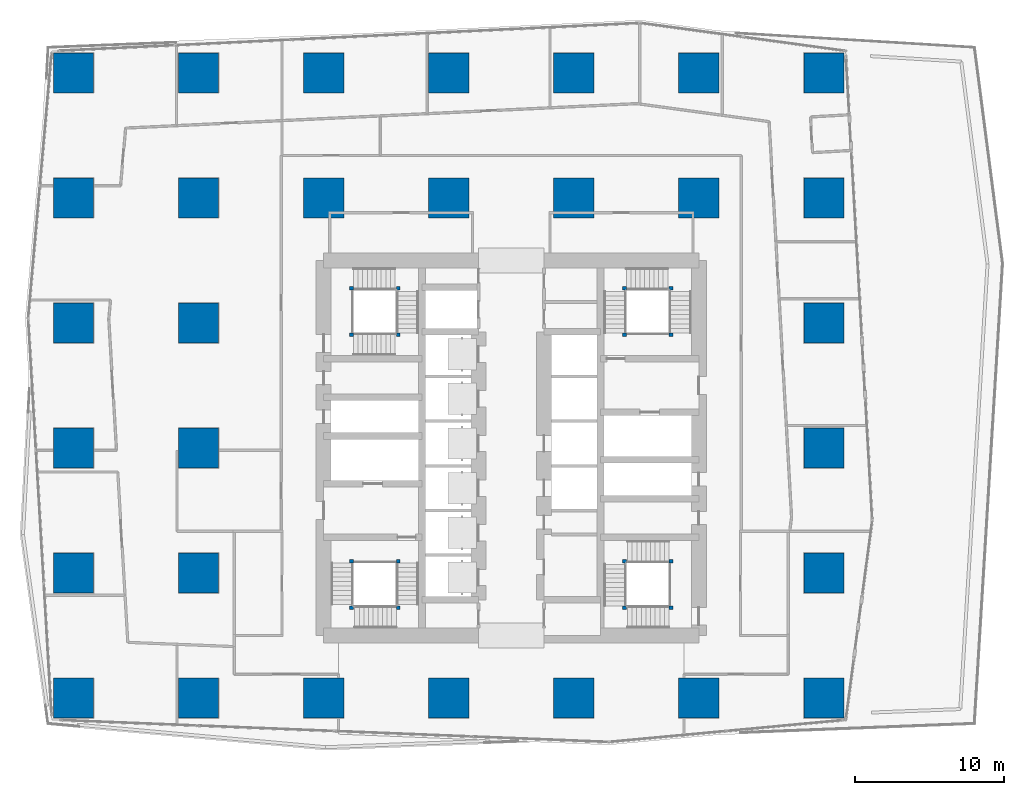
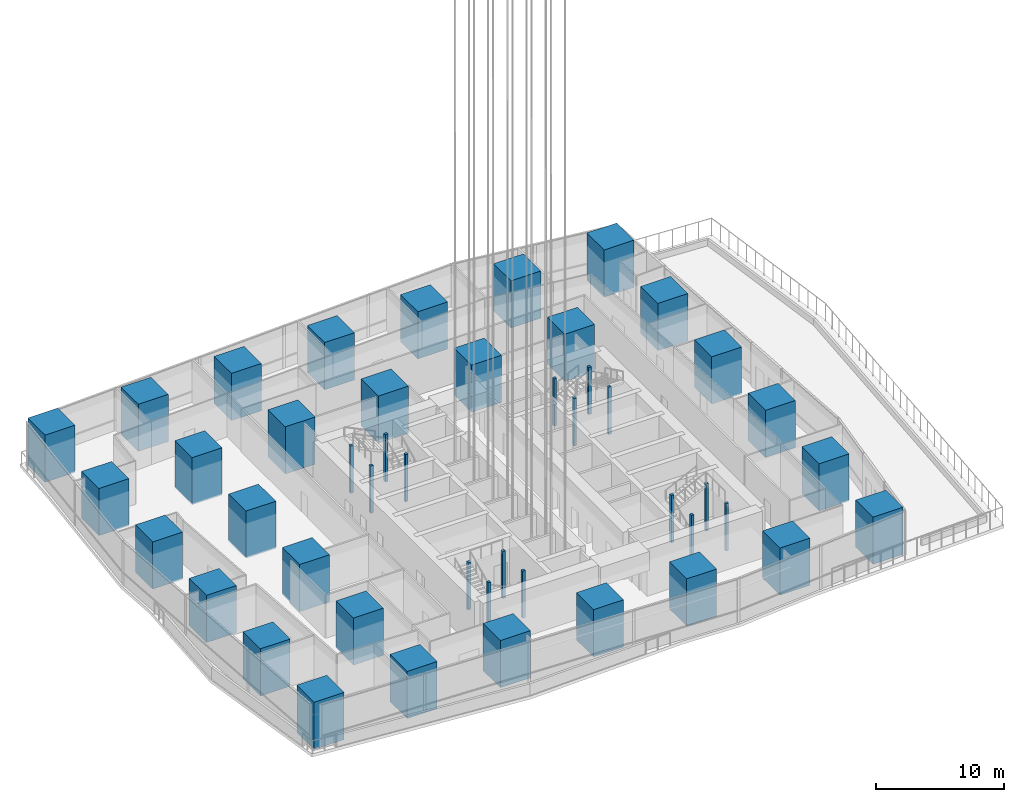
# One storey, part 1 of 39: 46 columns.
"""IFC4 building model written with IfcOpenShell, lengths in metres."""

from ifc_helpers import new_model, si_unit, direction, frame, origin, origin_2d, place, context, subcontext, project, spatial, rectangle, extrude, material, material_profile, profile_set, type_object, element, save


model = new_model("IFC4")

# Units and contexts
model_context = context("Model", 3, precision=1e-05, world=origin(), true_north=direction((0.0, 1.0)))
body_context = subcontext(model_context, "Body", "Model", "MODEL_VIEW")
ifc_project = project(units=[si_unit("LENGTHUNIT", "METRE"), si_unit("AREAUNIT", "SQUARE_METRE"), si_unit("VOLUMEUNIT", "CUBIC_METRE"), si_unit("PLANEANGLEUNIT", "RADIAN"), si_unit("MASSUNIT", "GRAM", prefix="KILO")], contexts=[model_context])

# Site, building, storey
site_placement = place(None, origin())
site = spatial("IfcSite", under=ifc_project, at=site_placement, CompositionType="ELEMENT")
building_placement = place(site_placement, origin())
building = spatial("IfcBuilding", under=site, at=building_placement, Name="Rekha Terrace Tower", CompositionType="ELEMENT")
storey_placement = place(building_placement, frame((0.0, 0.0, 168.199951171875)))
storey = spatial("IfcBuildingStorey", under=building, at=storey_placement, Name="L42", CompositionType="ELEMENT", Elevation=168.199951171875)

# Columns
ifc_material_1 = material(Name="Concrete M70", Category="concrete")
ifc_material_profile_1 = material_profile(ifc_material_1, rectangle(XDim=2.699951171875, YDim=2.699951171875, at=origin_2d()), Name="RC 2700x2700")
ifc_profile_set_1 = profile_set([ifc_material_profile_1], Name="Concrete M70")
column_type_1 = type_object("IfcColumnType", Name="C4T 2700x2700 column", PredefinedType="COLUMN", material=ifc_profile_set_1)
for number, where, z_axis, x_axis, name in (
    (1, (8.39990234375, 16.800048828125, 0.0), (0.0, 0.0, 1.0), (1.0, 0.0, 0.0), "Column C4T 2/C L42"),
    (2, (8.39990234375, 25.199951171875, 0.0), (0.0, 0.0, 1.0), (1.0, 0.0, 0.0), "Column C4T 2/D L42"),
    (3, (8.39990234375, 33.60009765625, 0.0), (0.0, 0.0, 1.0), (1.0, 0.0, 0.0), "Column C4T 2/E L42"),
    (4, (8.39990234375, 42.0, 0.0), (0.0, 0.0, 1.0), (1.0, 0.0, 0.0), "Column C4T 2/F L42"),
    (5, (8.39990234375, 50.39990234375, 0.0), (0.0, 0.0, 1.0), (1.0, 0.0, 0.0), "Column C4T 2/G L42"),
    (6, (8.39990234375, 58.800048828125, 0.0), (0.0, 0.0, 1.0), (1.0, 0.0, 0.0), "Column C4T 2/H L42"),
    (7, (16.800048828125, 16.800048828125, 0.0), (0.0, 0.0, 1.0), (1.0, 0.0, 0.0), "Column C4T 3/C L42"),
    (8, (16.800048828125, 25.199951171875, 0.0), (0.0, 0.0, 1.0), (1.0, 0.0, 0.0), "Column C4T 3/D L42"),
    (9, (16.800048828125, 33.60009765625, 0.0), (0.0, 0.0, 1.0), (1.0, 0.0, 0.0), "Column C4T 3/E L42"),
    (10, (16.800048828125, 42.0, 0.0), (0.0, 0.0, 1.0), (1.0, 0.0, 0.0), "Column C4T 3/F L42"),
    (11, (16.800048828125, 50.39990234375, 0.0), (0.0, 0.0, 1.0), (1.0, 0.0, 0.0), "Column C4T 3/G L42"),
    (12, (16.800048828125, 58.800048828125, 0.0), (0.0, 0.0, 1.0), (1.0, 0.0, 0.0), "Column C4T 3/H L42"),
    (13, (25.199951171875, 16.800048828125, 0.0), (0.0, 0.0, 1.0), (1.0, 0.0, 0.0), "Column C4T 4/C L42"),
    (14, (25.199951171875, 50.39990234375, 0.0), (0.0, 0.0, 1.0), (1.0, 0.0, 0.0), "Column C4T 4/G L42"),
    (15, (25.199951171875, 58.800048828125, 0.0), (0.0, 0.0, 1.0), (1.0, 0.0, 0.0), "Column C4T 4/H L42"),
    (16, (33.60009765625, 16.800048828125, 0.0), (0.0, 0.0, 1.0), (1.0, 0.0, 0.0), "Column C4T 5/C L42"),
    (17, (33.60009765625, 50.39990234375, 0.0), (0.0, 0.0, 1.0), (1.0, 0.0, 0.0), "Column C4T 5/G L42"),
    (18, (33.60009765625, 58.800048828125, 0.0), (0.0, 0.0, 1.0), (1.0, 0.0, 0.0), "Column C4T 5/H L42"),
    (19, (42.0, 16.800048828125, 0.0), (0.0, 0.0, 1.0), (1.0, 0.0, 0.0), "Column C4T 6/C L42"),
    (20, (42.0, 50.39990234375, 0.0), (0.0, 0.0, 1.0), (1.0, 0.0, 0.0), "Column C4T 6/G L42"),
    (21, (42.0, 58.800048828125, 0.0), (0.0, 0.0, 1.0), (1.0, 0.0, 0.0), "Column C4T 6/H L42"),
    (22, (50.39990234375, 16.800048828125, 0.0), (0.0, 0.0, 1.0), (1.0, 0.0, 0.0), "Column C4T 7/C L42"),
    (23, (50.39990234375, 50.39990234375, 0.0), (0.0, 0.0, 1.0), (1.0, 0.0, 0.0), "Column C4T 7/G L42"),
    (24, (50.39990234375, 58.800048828125, 0.0), (0.0, 0.0, 1.0), (1.0, 0.0, 0.0), "Column C4T 7/H L42"),
    (25, (58.800048828125, 16.800048828125, 0.0), (0.0, 0.0, 1.0), (1.0, 0.0, 0.0), "Column C4T 8/C L42"),
    (26, (58.800048828125, 25.199951171875, 0.0), (0.0, 0.0, 1.0), (1.0, 0.0, 0.0), "Column C4T 8/D L42"),
    (27, (58.800048828125, 33.60009765625, 0.0), (0.0, 0.0, 1.0), (1.0, 0.0, 0.0), "Column C4T 8/E L42"),
    (28, (58.800048828125, 42.0, 0.0), (0.0, 0.0, 1.0), (1.0, 0.0, 0.0), "Column C4T 8/F L42"),
    (29, (58.800048828125, 50.39990234375, 0.0), (0.0, 0.0, 1.0), (1.0, 0.0, 0.0), "Column C4T 8/G L42"),
    (30, (58.800048828125, 58.800048828125, 0.0), (0.0, 0.0, 1.0), (1.0, 0.0, 0.0), "Column C4T 8/H L42"),
):
    element("IfcColumn", number, at=place(storey_placement, frame(where, z_axis=z_axis, x_axis=x_axis)), inside=storey, type_object=column_type_1, Name=name, PredefinedType="COLUMN", context=body_context, shape_type="SweptSolid", body=[
        extrude(rectangle(XDim=2.699951171875, YDim=2.699951171875, at=origin_2d()), origin(), (0.0, 0.0, 1.0), 4.5),
    ])
ifc_material_2 = material(Name="Concrete M60", Category="concrete")
ifc_material_profile_2 = material_profile(ifc_material_2, rectangle(XDim=0.25, YDim=0.25, at=origin_2d()), Name="RC 250x250")
ifc_profile_set_2 = profile_set([ifc_material_profile_2], Name="Concrete M60")
column_type_2 = type_object("IfcColumnType", Name="NP1 250x250 stair newel post", PredefinedType="COLUMN", material=ifc_profile_set_2)
for number, where, z_axis, x_axis, name in (
    (31, (30.199951171875, 26.0, 0.0), (0.0, 0.0, 1.0), (1.0, 0.0, 0.0), "Stair newel post NP1"),
    (32, (30.199951171875, 22.875, 0.0), (0.0, 0.0, 1.0), (1.0, 0.0, 0.0), "Stair newel post NP1"),
    (33, (27.074951171875, 22.875, 0.0), (0.0, 0.0, 1.0), (1.0, 0.0, 0.0), "Stair newel post NP1"),
    (34, (27.074951171875, 26.0, 0.0), (0.0, 0.0, 1.0), (1.0, 0.0, 0.0), "Stair newel post NP1"),
    (35, (45.39990234375, 41.199951171875, 0.0), (0.0, 0.0, 1.0), (1.0, 0.0, 0.0), "Stair newel post NP1"),
    (36, (45.39990234375, 44.324951171875, 0.0), (0.0, 0.0, 1.0), (1.0, 0.0, 0.0), "Stair newel post NP1"),
    (37, (48.52490234375, 44.324951171875, 0.0), (0.0, 0.0, 1.0), (1.0, 0.0, 0.0), "Stair newel post NP1"),
    (38, (48.52490234375, 41.199951171875, 0.0), (0.0, 0.0, 1.0), (1.0, 0.0, 0.0), "Stair newel post NP1"),
    (39, (48.52490234375, 22.875, 0.0), (0.0, 0.0, 1.0), (1.0, 0.0, 0.0), "Stair newel post NP1"),
    (40, (45.39990234375, 22.875, 0.0), (0.0, 0.0, 1.0), (1.0, 0.0, 0.0), "Stair newel post NP1"),
    (41, (45.39990234375, 26.0, 0.0), (0.0, 0.0, 1.0), (1.0, 0.0, 0.0), "Stair newel post NP1"),
    (42, (48.52490234375, 26.0, 0.0), (0.0, 0.0, 1.0), (1.0, 0.0, 0.0), "Stair newel post NP1"),
    (43, (27.074951171875, 41.199951171875, 0.0), (0.0, 0.0, 1.0), (1.0, 0.0, 0.0), "Stair newel post NP1"),
    (44, (30.199951171875, 41.199951171875, 0.0), (0.0, 0.0, 1.0), (1.0, 0.0, 0.0), "Stair newel post NP1"),
    (45, (30.199951171875, 44.324951171875, 0.0), (0.0, 0.0, 1.0), (1.0, 0.0, 0.0), "Stair newel post NP1"),
    (46, (27.074951171875, 44.324951171875, 0.0), (0.0, 0.0, 1.0), (1.0, 0.0, 0.0), "Stair newel post NP1"),
):
    element("IfcColumn", number, at=place(storey_placement, frame(where, z_axis=z_axis, x_axis=x_axis)), inside=storey, type_object=column_type_2, Name=name, PredefinedType="COLUMN", context=body_context, shape_type="SweptSolid", body=[
        extrude(rectangle(XDim=0.25, YDim=0.25, at=origin_2d()), origin(), (0.0, 0.0, 1.0), 4.5),
    ])

save(model, "model.ifc")
